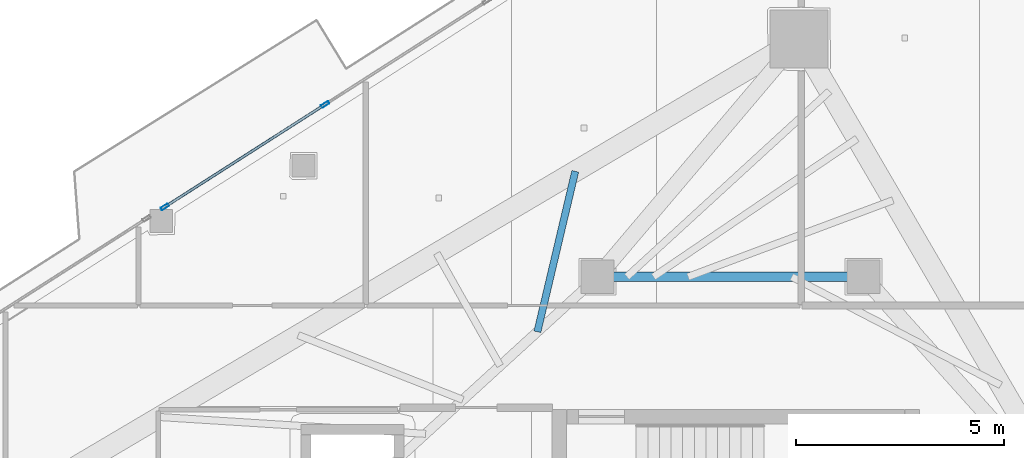
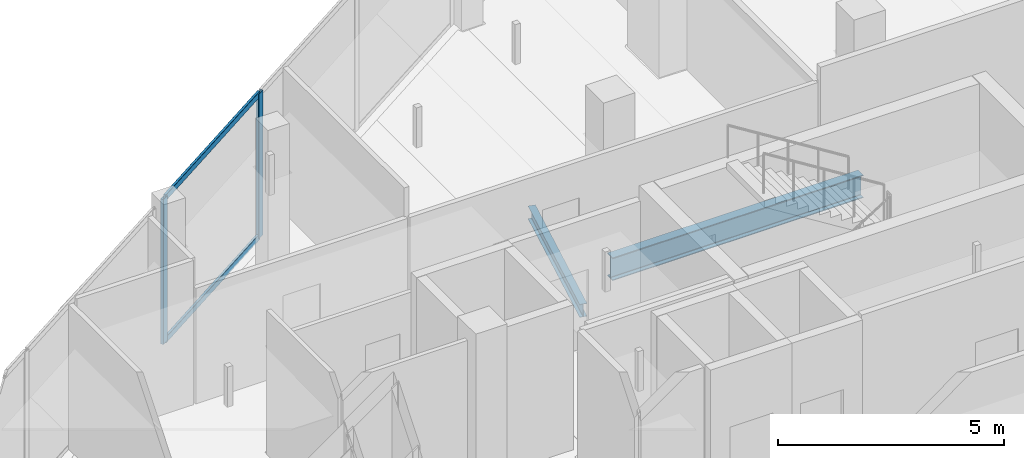
# One storey, part 14 of 27: 4 members, 2 beams, 1 element without a shape of its own.
"""IFC4 building model written with IfcOpenShell, lengths in metres."""

from ifc_helpers import new_model, si_unit, direction, frame, origin, origin_2d, place, context, subcontext, project, spatial, hollow_rectangle, i_section, extrude, material, layer, layer_set, material_profile, profile_set, type_object, element, aggregate, save


model = new_model("IFC4")

# Units and contexts
model_context = context("Model", 3, precision=1e-05, world=origin(), true_north=direction((0.0, 1.0)))
body_context = subcontext(model_context, "Body", "Model", "MODEL_VIEW")
ifc_project = project(units=[si_unit("LENGTHUNIT", "METRE"), si_unit("AREAUNIT", "SQUARE_METRE"), si_unit("VOLUMEUNIT", "CUBIC_METRE"), si_unit("PLANEANGLEUNIT", "RADIAN"), si_unit("MASSUNIT", "GRAM", prefix="KILO")], contexts=[model_context])

# Site, building, storey
site_placement = place(None, origin())
site = spatial("IfcSite", under=ifc_project, at=site_placement, CompositionType="ELEMENT")
building_placement = place(site_placement, origin())
building = spatial("IfcBuilding", under=site, at=building_placement, Name="Qorvath Tower", CompositionType="ELEMENT")
storey_placement = place(building_placement, frame((0.0, 0.0, 293.39990234375)))
storey = spatial("IfcBuildingStorey", under=building, at=storey_placement, Name="L68", CompositionType="ELEMENT", Elevation=293.39990234375)

# Beams
ifc_material_1 = material(Name="Steel ASTM A992 Grade 50", Category="steel")
ifc_material_profile_1 = material_profile(ifc_material_1, i_section(OverallWidth=0.22998046875, OverallDepth=0.616943359375, WebThickness=0.01318359375, FlangeThickness=0.022216796875, FilletRadius=0.014892578125, at=origin_2d()), Name="W24x94")
ifc_profile_set_1 = profile_set([ifc_material_profile_1], Name="Steel ASTM A992 Grade 50")
beam_type_1 = type_object("IfcBeamType", Name="BM-FG6", PredefinedType="BEAM", material=ifc_profile_set_1)
beam_1_placement = place(storey_placement, frame((-23.60009765625, 11.449951171875, -0.598388671875), z_axis=(1.0, 0.0, 0.0), x_axis=(0.0, 1.0, 0.0)))
element("IfcBeam", 1, at=beam_1_placement, inside=storey, type_object=beam_type_1, Name="Core Ring Girder CC1-CC2 L68", PredefinedType="BEAM", context=body_context, shape_type="SweptSolid", body=[
    extrude(i_section(OverallWidth=0.22998046875, OverallDepth=0.616943359375, WebThickness=0.01318359375, FlangeThickness=0.022216796875, FilletRadius=0.014892578125, at=origin_2d()), origin(), (0.0, 0.0, 1.0), 6.400146484375),
])
ifc_material_2 = material(Name="Steel ASTM A992 Grade 50", Category="steel")
ifc_material_profile_2 = material_profile(ifc_material_2, i_section(OverallWidth=0.1708984375, OverallDepth=0.35107421875, WebThickness=0.0068359375, FlangeThickness=0.009765625, FilletRadius=0.010009765625, at=origin_2d()), Name="W14x30")
ifc_profile_set_2 = profile_set([ifc_material_profile_2], Name="Steel ASTM A992 Grade 50")
beam_type_2 = type_object("IfcBeamType", Name="BM-FJ4", PredefinedType="JOIST", material=ifc_profile_set_2)
beam_2_placement = place(storey_placement, frame((-25.049072265625, 10.126953125, -0.46533203125), z_axis=(0.22966321917, 0.973270160726, 0.0), x_axis=(-0.973270160726, 0.22966321917, 0.0)))
element("IfcBeam", 2, at=beam_2_placement, inside=storey, type_object=beam_type_2, Name="Composite Floor Joist NW6 L68", PredefinedType="JOIST", context=body_context, shape_type="SweptSolid", body=[
    extrude(i_section(OverallWidth=0.1708984375, OverallDepth=0.35107421875, WebThickness=0.0068359375, FlangeThickness=0.009765625, FilletRadius=0.010009765625, at=origin_2d()), origin(), (0.0, 0.0, 1.0), 3.969482421875),
])

# Curtain wall, members
ifc_material_3 = material(Name="Anodised aluminium and triple low-E glass", Category="aluminium")
ifc_layer = layer(ifc_material_3, 0.179931640625)
ifc_layer_set = layer_set([ifc_layer], Name="CW-SYS-5")
curtain_wall_type = type_object("IfcCurtainWallType", Name="CW-SYS-5", PredefinedType="NOTDEFINED", material=ifc_layer_set)
curtain_wall_placement = place(storey_placement, origin())
curtain_wall = element("IfcCurtainWall", 3, at=curtain_wall_placement, inside=storey, type_object=curtain_wall_type, Name="Curtain Wall CW-5 CW-T-L68-16.2", PredefinedType="NOTDEFINED")
ifc_material_4 = material(Name="Anodised aluminium 6063-T6", Category="aluminium")
ifc_material_profile_3 = material_profile(ifc_material_4, hollow_rectangle(XDim=0.074951171875, YDim=0.199951171875, WallThickness=0.00390625, InnerFilletRadius=0.00390625, OuterFilletRadius=0.008056640625, at=origin_2d()), Name="CWM 200x75")
ifc_profile_set_3 = profile_set([ifc_material_profile_3], Name="Anodised aluminium 6063-T6")
member_type_1 = type_object("IfcMemberType", Name="CWM-200", PredefinedType="MULLION", material=ifc_profile_set_3)
member_1_placement = place(storey_placement, frame((-30.15869140625, 15.6005859375, 0.0), z_axis=(0.0, 0.0, 1.0), x_axis=(0.538534157957, -0.842603679504, 0.0)))
member_1 = element("IfcMember", 4, at=member_1_placement, type_object=member_type_1, Name="CW-5 mullion 3", PredefinedType="MULLION", context=body_context, shape_type="SweptSolid", body=[
    extrude(hollow_rectangle(XDim=0.074951171875, YDim=0.199951171875, WallThickness=0.00390625, InnerFilletRadius=0.00390625, OuterFilletRadius=0.008056640625, at=origin_2d()), origin(), (0.0, 0.0, 1.0), 3.91015625),
])
member_2_placement = place(storey_placement, frame((-34.02001953125, 13.1328125, 0.0), z_axis=(0.0, 0.0, 1.0), x_axis=(0.538534157957, -0.842603679504, 0.0)))
member_2 = element("IfcMember", 5, at=member_2_placement, type_object=member_type_1, Name="CW-5 mullion 4", PredefinedType="MULLION", context=body_context, shape_type="SweptSolid", body=[
    extrude(hollow_rectangle(XDim=0.074951171875, YDim=0.199951171875, WallThickness=0.00390625, InnerFilletRadius=0.00390625, OuterFilletRadius=0.008056640625, at=origin_2d()), origin(), (0.0, 0.0, 1.0), 3.91015625),
])
ifc_material_5 = material(Name="Anodised aluminium 6063-T6", Category="aluminium")
ifc_material_profile_4 = material_profile(ifc_material_5, hollow_rectangle(XDim=0.06494140625, YDim=0.159912109375, WallThickness=0.00341796875, InnerFilletRadius=0.00341796875, OuterFilletRadius=0.007080078125, at=origin_2d()), Name="CWT 160x65")
ifc_profile_set_4 = profile_set([ifc_material_profile_4], Name="Anodised aluminium 6063-T6")
member_type_2 = type_object("IfcMemberType", Name="CWT-160", PredefinedType="USERDEFINED", material=ifc_profile_set_4)
member_3_placement = place(storey_placement, frame((-30.1904296875, 15.580322265625, 0.032470703125), z_axis=(-0.84258702257, -0.538560218913, 0.0), x_axis=(0.538560218913, -0.84258702257, 0.0)))
member_3 = element("IfcMember", 6, at=member_3_placement, type_object=member_type_2, Name="CW-5 transom 3.1", ObjectType="TRANSOM", PredefinedType="USERDEFINED", context=body_context, shape_type="SweptSolid", body=[
    extrude(hollow_rectangle(XDim=0.06494140625, YDim=0.159912109375, WallThickness=0.00341796875, InnerFilletRadius=0.00341796875, OuterFilletRadius=0.007080078125, at=origin_2d()), origin(), (0.0, 0.0, 1.0), 4.50732421875),
])
member_4_placement = place(storey_placement, frame((-30.1904296875, 15.580322265625, 3.877685546875), z_axis=(-0.84258702257, -0.538560218913, 0.0), x_axis=(0.538560218913, -0.84258702257, 0.0)))
member_4 = element("IfcMember", 7, at=member_4_placement, type_object=member_type_2, Name="CW-5 transom 3.2", ObjectType="TRANSOM", PredefinedType="USERDEFINED", context=body_context, shape_type="SweptSolid", body=[
    extrude(hollow_rectangle(XDim=0.06494140625, YDim=0.159912109375, WallThickness=0.00341796875, InnerFilletRadius=0.00341796875, OuterFilletRadius=0.007080078125, at=origin_2d()), origin(), (0.0, 0.0, 1.0), 4.50732421875),
])
aggregate(curtain_wall, [member_1, member_2, member_3, member_4])

save(model, "model.ifc")
